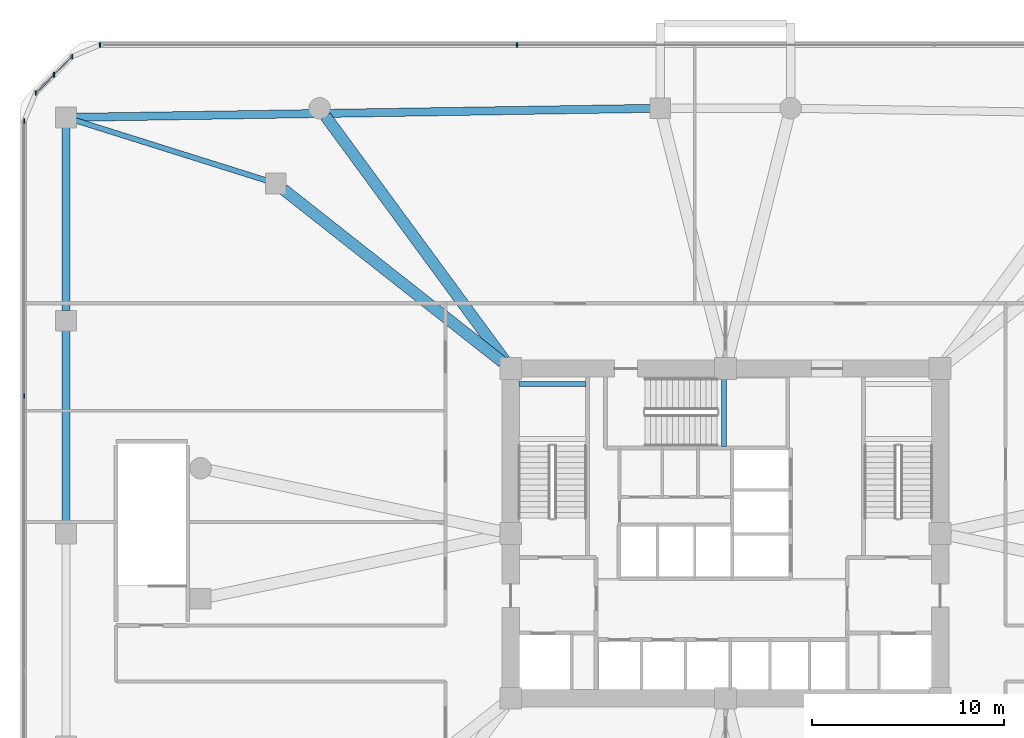
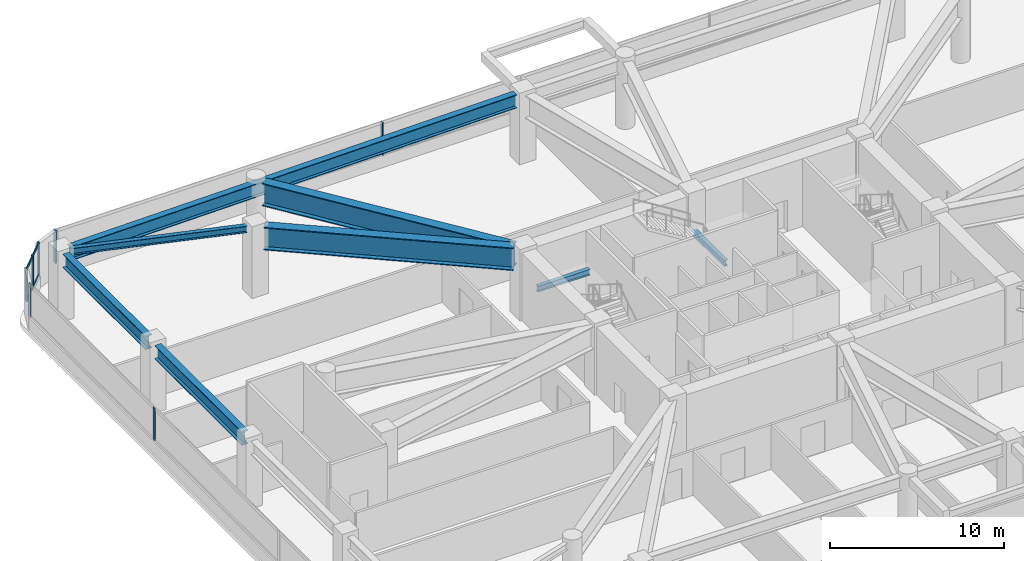
# One storey, part 6 of 21: 9 members, 8 beams, 3 elements without a shape of their own.
"""IFC4 building model written with IfcOpenShell, lengths in metres."""

import ifcopenshell
import ifcopenshell.guid

model = None  # the IFC model being written
_history = None  # IfcOwnerHistory: only IFC2X3 demands one
_inside = {}  # id of a spatial element -> (the spatial element, [elements in it])
_under = {}  # id of a project, library or spatial element -> (it, [spatial elements below it])
_declared = {}  # id of a project -> (the project, [libraries it declares])
_typed = {}  # id of a type object -> (the type object, [elements of that type])
_made_of = {}  # id of a material, layer set ... -> (it, [elements and type objects made of it])


def new_model(schema):
    """Start an empty IFC model of exactly this schema.

    Asked for "IFC4X3", IfcOpenShell would pick the latest addendum, in which some entities
    have other attributes; the version numbers below select the first issue.
    IFC2X3 requires an IfcOwnerHistory on every rooted entity: one is made here for all.
    """
    global model, _history
    if schema == "IFC4X3":
        model = ifcopenshell.file(schema_version=(4, 3, 0, 0))
    else:
        model = ifcopenshell.file(schema=schema)
    _inside.clear()
    _under.clear()
    _declared.clear()
    _typed.clear()
    _made_of.clear()
    _history = None
    if model.schema == "IFC2X3":
        org = make("IfcOrganization", Name="unknown")
        user = make(
            "IfcPersonAndOrganization",
            ThePerson=make("IfcPerson", FamilyName="unknown"),
            TheOrganization=org,
        )
        app = make(
            "IfcApplication",
            ApplicationDeveloper=org,
            Version="unknown",
            ApplicationFullName="unknown",
            ApplicationIdentifier="unknown",
        )
        _history = make(
            "IfcOwnerHistory",
            OwningUser=user,
            OwningApplication=app,
            ChangeAction="ADDED",
            CreationDate=0,
        )
    return model


def make(cls, **values):
    """One entity of the class cls with the attributes given. An attribute that is None is left unset."""
    return model.create_entity(
        cls, **{name: value for name, value in values.items() if value is not None}
    )


def rooted(cls, **values):
    """An entity with a GlobalId (a new one), such as an element, a storey or a relation."""
    return make(cls, GlobalId=ifcopenshell.guid.new(), OwnerHistory=_history, **values)


def si_unit(unit_type, name, prefix=None):
    """IfcSIUnit, for example si_unit("LENGTHUNIT", "METRE", prefix="MILLI")."""
    return make("IfcSIUnit", UnitType=unit_type, Prefix=prefix, Name=name)


def derived_unit(unit_type, elements):
    """IfcDerivedUnit: a product of units, each with its exponent."""
    return make(
        "IfcDerivedUnit",
        Elements=[
            make("IfcDerivedUnitElement", Unit=unit, Exponent=power)
            for unit, power in elements
        ],
        UnitType=unit_type,
    )


def assignment(units):
    """IfcUnitAssignment: the units of a project."""
    return None if units is None else make("IfcUnitAssignment", Units=units)


def point(xyz):
    """IfcCartesianPoint."""
    return None if xyz is None else make("IfcCartesianPoint", Coordinates=xyz)


def direction(xyz):
    """IfcDirection."""
    return None if xyz is None else make("IfcDirection", DirectionRatios=xyz)


def frame(location, z_axis=None, x_axis=None):
    """IfcAxis2Placement3D, a coordinate frame: its origin and axes. An axis left out is left unset."""
    return make(
        "IfcAxis2Placement3D",
        Location=point(location),
        Axis=direction(z_axis),
        RefDirection=direction(x_axis),
    )


def frame_2d(location, x_axis=None):
    """IfcAxis2Placement2D, a coordinate frame in the plane: its origin and x axis."""
    return make(
        "IfcAxis2Placement2D", Location=point(location), RefDirection=direction(x_axis)
    )


def origin():
    """The frame at (0, 0, 0) with its axes left unset."""
    return frame((0.0, 0.0, 0.0))


def origin_2d():
    """The frame at (0, 0) in the plane with its x axis left unset."""
    return frame_2d((0.0, 0.0))


def place(relative_to, where):
    """IfcLocalPlacement: puts the frame where relative to a parent placement (None: the world)."""
    return make(
        "IfcLocalPlacement", PlacementRelTo=relative_to, RelativePlacement=where
    )


def context(
    kind, dimensions, precision=None, world=None, true_north=None, identifier=None
):
    """IfcGeometricRepresentationContext, for example the 3D "Model" context."""
    return make(
        "IfcGeometricRepresentationContext",
        ContextIdentifier=identifier,
        ContextType=kind,
        CoordinateSpaceDimension=dimensions,
        Precision=precision,
        WorldCoordinateSystem=world,
        TrueNorth=true_north,
    )


def subcontext(parent, identifier, kind, view, scale=None):
    """IfcGeometricRepresentationSubContext, for example "Body" below "Model"."""
    return make(
        "IfcGeometricRepresentationSubContext",
        ContextIdentifier=identifier,
        ContextType=kind,
        ParentContext=parent,
        TargetScale=scale,
        TargetView=view,
    )


def project(units=None, contexts=None):
    """IfcProject with its units and contexts."""
    return rooted(
        "IfcProject",
        Name="project",
        RepresentationContexts=contexts,
        UnitsInContext=assignment(units),
    )


def spatial(cls, under=None, at=None, **own):
    """A site, building, storey or space (cls), placed at a placement, below another one or the project."""
    s = rooted(cls, ObjectPlacement=at, **own)
    if under is not None:
        _under.setdefault(under.id(), (under, []))[1].append(s)
    return s


def profile(cls, at=None, kind="AREA", **sizes):
    """A parametric profile (cls). Its sizes go by their IFC names, for example OverallWidth=200.0."""
    return make(cls, ProfileType=kind, Position=at, **sizes)


def rectangle(**sizes):
    """IfcRectangleProfileDef."""
    return profile("IfcRectangleProfileDef", **sizes)


def i_section(**sizes):
    """IfcIShapeProfileDef."""
    return profile("IfcIShapeProfileDef", **sizes)


def extrude(swept, where, along, depth):
    """IfcExtrudedAreaSolid: the profile swept, set in the frame where, extruded along a direction by depth."""
    return make(
        "IfcExtrudedAreaSolid",
        SweptArea=swept,
        Position=where,
        ExtrudedDirection=direction(along),
        Depth=depth,
    )


def shape(context_of_items, identifier, shape_type, items):
    """IfcShapeRepresentation: the items that make up one representation, for example the "Body"."""
    return make(
        "IfcShapeRepresentation",
        ContextOfItems=context_of_items,
        RepresentationIdentifier=identifier,
        RepresentationType=shape_type,
        Items=items,
    )


def material(Name=None, Category=None):
    """IfcMaterial."""
    return make("IfcMaterial", Name=Name, Category=Category)


def material_profile(
    of_material, cross_section, Name=None, Category=None, Priority=None
):
    """IfcMaterialProfile: a cross section and its material."""
    return make(
        "IfcMaterialProfile",
        Name=Name,
        Material=of_material,
        Profile=cross_section,
        Priority=Priority,
        Category=Category,
    )


def profile_set(profiles, Name=None, composite=None):
    """IfcMaterialProfileSet."""
    return make(
        "IfcMaterialProfileSet",
        Name=Name,
        MaterialProfiles=profiles,
        CompositeProfile=composite,
    )


def made_of(thing, what):
    """Note that an element or type object is made of a material, layer set ...; save() writes the relation."""
    if what is not None:
        _made_of.setdefault(what.id(), (what, []))[1].append(thing)
    return thing


def type_object(cls, material=None, **own):
    """A type object (cls), such as IfcWallType, which elements share."""
    return made_of(rooted(cls, **own), material)


def element(
    cls,
    number,
    at=None,
    inside=None,
    cuts=None,
    type_object=None,
    material=None,
    context=None,
    identifier="Body",
    shape_type=None,
    held_by="IfcProductDefinitionShape",
    body=None,
    shapes=None,
    **own,
):
    """One element of the class cls, such as IfcWall. Its Tag is "e" and its number.

    at: its placement. inside: the storey or other place that contains it. cuts: it is an
    opening in that element (IfcRelVoidsElement). A single representation is given by context,
    identifier, shape_type and body (its items); several are given by shapes. held_by: the class
    of the entity that holds the representations. save() writes the other relations.
    """
    e = rooted(cls, Tag="e%d" % number, ObjectPlacement=at, **own)
    if body is not None:
        shapes = [shape(context, identifier, shape_type, body)]
    if shapes is not None:
        e.Representation = make(held_by, Representations=shapes)
    if inside is not None:
        _inside.setdefault(inside.id(), (inside, []))[1].append(e)
    if cuts is not None:
        rooted(
            "IfcRelVoidsElement", RelatingBuildingElement=cuts, RelatedOpeningElement=e
        )
    if type_object is not None:
        _typed.setdefault(type_object.id(), (type_object, []))[1].append(e)
    return made_of(e, material)


def aggregate(whole, parts):
    """IfcRelAggregates: a whole, such as a stair, and the parts it consists of."""
    return rooted("IfcRelAggregates", RelatingObject=whole, RelatedObjects=parts)


def save(model, path):
    """Write the relations noted so far, then the file.

    IfcRelAggregates (storeys below a building ...), IfcRelContainedInSpatialStructure (elements
    in a storey), IfcRelDefinesByType, IfcRelAssociatesMaterial and IfcRelDeclares: one each for
    every whole, place, type object, material and project.
    """
    for whole, parts in _under.values():
        aggregate(whole, parts)
    for where, things in _inside.values():
        rooted(
            "IfcRelContainedInSpatialStructure",
            RelatedElements=things,
            RelatingStructure=where,
        )
    for kind, things in _typed.values():
        rooted("IfcRelDefinesByType", RelatedObjects=things, RelatingType=kind)
    for what, things in _made_of.values():
        rooted("IfcRelAssociatesMaterial", RelatedObjects=things, RelatingMaterial=what)
    for by, libraries in _declared.values():
        rooted("IfcRelDeclares", RelatingContext=by, RelatedDefinitions=libraries)
    model.write(path)


model = new_model("IFC4")

# Units and contexts
model_context = context("Model", 3, precision=1e-05, world=origin(), true_north=direction((0.0, 1.0)))
body_context = subcontext(model_context, "Body", "Model", "MODEL_VIEW")
ifc_project = project(units=[si_unit("LENGTHUNIT", "METRE"), si_unit("AREAUNIT", "SQUARE_METRE"), si_unit("VOLUMEUNIT", "CUBIC_METRE"), si_unit("PLANEANGLEUNIT", "RADIAN"), si_unit("MASSUNIT", "GRAM", prefix="KILO"), derived_unit("THERMALTRANSMITTANCEUNIT", [(si_unit("POWERUNIT", "WATT"), 1), (si_unit("LENGTHUNIT", "METRE"), -2), (si_unit("THERMODYNAMICTEMPERATUREUNIT", "KELVIN"), -1)])], contexts=[model_context])

# Site, building, storey
site_placement = place(None, origin())
site = spatial("IfcSite", under=ifc_project, at=site_placement, CompositionType="ELEMENT")
building_placement = place(site_placement, origin())
building = spatial("IfcBuilding", under=site, at=building_placement, Name="Koralith Skygarden Medical Center", CompositionType="ELEMENT")
storey_placement = place(building_placement, frame((0.0, 0.0, 18.89990234375)))
storey = spatial("IfcBuildingStorey", under=building, at=storey_placement, Name="L04", CompositionType="ELEMENT", Elevation=18.89990234375)

# Curtain wall, members
ifc_material_1 = material(Name="Clear Laminated Glass", Category="glass")
curtain_wall_type = type_object("IfcCurtainWallType", Name="CW-1 Transit & Podium Acoustic Curtain Wall", PredefinedType="NOTDEFINED", material=ifc_material_1)
curtain_wall_1_placement = place(storey_placement, origin())
curtain_wall_1 = element("IfcCurtainWall", 1, at=curtain_wall_1_placement, inside=storey, type_object=curtain_wall_type, Name="Curtain Wall CW-L04-N", PredefinedType="NOTDEFINED")
ifc_material_2 = material(Name="Aluminium 6063-T6", Category="aluminium")
ifc_material_profile_1 = material_profile(ifc_material_2, rectangle(XDim=0.068115234375, YDim=0.239990234375, at=origin_2d()), Name="MUL68X240")
ifc_profile_set_1 = profile_set([ifc_material_profile_1], Name="Aluminium 6063-T6")
member_type_1 = type_object("IfcMemberType", Name="CW-1 Extruded Mullion 68x240", PredefinedType="MULLION", material=ifc_profile_set_1)
member_1_placement = place(storey_placement, frame((26.1259765625, 51.3798828125, 0.85009765625), z_axis=(0.0, 0.0, 1.0), x_axis=(1.0, 0.0, 0.0)))
member_1 = element("IfcMember", 2, at=member_1_placement, type_object=member_type_1, Name="CW-L04-N Mullion 3", PredefinedType="MULLION", context=body_context, shape_type="SweptSolid", body=[
    extrude(rectangle(XDim=0.068115234375, YDim=0.239990234375, at=origin_2d()), origin(), (0.0, 0.0, 1.0), 2.300048828125),
])
member_2_placement = place(storey_placement, frame((4.37890625, 51.3798828125, 0.85009765625), z_axis=(0.0, 0.0, 1.0), x_axis=(1.0, 0.0, 0.0)))
member_2 = element("IfcMember", 3, at=member_2_placement, type_object=member_type_1, Name="CW-L04-N Mullion 4", PredefinedType="MULLION", context=body_context, shape_type="SweptSolid", body=[
    extrude(rectangle(XDim=0.068115234375, YDim=0.239990234375, at=origin_2d()), origin(), (0.0, 0.0, 1.0), 2.300048828125),
])
aggregate(curtain_wall_1, [member_1, member_2])

curtain_wall_2_placement = place(storey_placement, origin())
curtain_wall_2 = element("IfcCurtainWall", 4, at=curtain_wall_2_placement, inside=storey, type_object=curtain_wall_type, Name="Curtain Wall CW-L04-NW", PredefinedType="NOTDEFINED")
member_3_placement = place(storey_placement, frame((2.927978515625, 50.779052734375, 0.85009765625), z_axis=(0.0, 0.0, 1.0), x_axis=(1.0, 0.0, 0.0)))
member_3 = element("IfcMember", 5, at=member_3_placement, type_object=member_type_1, Name="CW-L04-NW Mullion 1", PredefinedType="MULLION", context=body_context, shape_type="SweptSolid", body=[
    extrude(rectangle(XDim=0.068115234375, YDim=0.239990234375, at=origin_2d()), origin(), (0.0, 0.0, 1.0), 2.300048828125),
])
member_4_placement = place(storey_placement, frame((1.97412109375, 49.825927734375, 0.85009765625), z_axis=(0.0, 0.0, 1.0), x_axis=(1.0, 0.0, 0.0)))
member_4 = element("IfcMember", 6, at=member_4_placement, type_object=member_type_1, Name="CW-L04-NW Mullion 2", PredefinedType="MULLION", context=body_context, shape_type="SweptSolid", body=[
    extrude(rectangle(XDim=0.068115234375, YDim=0.239990234375, at=origin_2d()), origin(), (0.0, 0.0, 1.0), 2.300048828125),
])
member_5_placement = place(storey_placement, frame((1.02099609375, 48.8720703125, 0.85009765625), z_axis=(0.0, 0.0, 1.0), x_axis=(1.0, 0.0, 0.0)))
member_5 = element("IfcMember", 7, at=member_5_placement, type_object=member_type_1, Name="CW-L04-NW Mullion 3", PredefinedType="MULLION", context=body_context, shape_type="SweptSolid", body=[
    extrude(rectangle(XDim=0.068115234375, YDim=0.239990234375, at=origin_2d()), origin(), (0.0, 0.0, 1.0), 2.300048828125),
])

curtain_wall_3_placement = place(storey_placement, origin())
curtain_wall_3 = element("IfcCurtainWall", 8, at=curtain_wall_3_placement, inside=storey, type_object=curtain_wall_type, Name="Curtain Wall CW-L04-W", PredefinedType="NOTDEFINED")
member_6_placement = place(storey_placement, frame((0.419921875, 47.4208984375, 0.85009765625), z_axis=(0.0, 0.0, 1.0), x_axis=(1.0, 0.0, 0.0)))
member_6 = element("IfcMember", 9, at=member_6_placement, type_object=member_type_1, Name="CW-L04-W Mullion 1", PredefinedType="MULLION", context=body_context, shape_type="SweptSolid", body=[
    extrude(rectangle(XDim=0.068115234375, YDim=0.239990234375, at=origin_2d()), origin(), (0.0, 0.0, 1.0), 2.300048828125),
])
member_7_placement = place(storey_placement, frame((0.419921875, 33.073974609375, 0.85009765625), z_axis=(0.0, 0.0, 1.0), x_axis=(1.0, 0.0, 0.0)))
member_7 = element("IfcMember", 10, at=member_7_placement, type_object=member_type_1, Name="CW-L04-W Mullion 2", PredefinedType="MULLION", context=body_context, shape_type="SweptSolid", body=[
    extrude(rectangle(XDim=0.068115234375, YDim=0.239990234375, at=origin_2d()), origin(), (0.0, 0.0, 1.0), 2.300048828125),
])
aggregate(curtain_wall_3, [member_6, member_7])

# Member
ifc_material_profile_2 = material_profile(ifc_material_2, rectangle(XDim=0.06298828125, YDim=0.216064453125, at=origin_2d()), Name="TRN63X216")
ifc_profile_set_2 = profile_set([ifc_material_profile_2], Name="Aluminium 6063-T6")
member_type_2 = type_object("IfcMemberType", Name="CW-1 Thermal Transom 63x216", PredefinedType="USERDEFINED", material=ifc_profile_set_2)
member_8_placement = place(storey_placement, frame((2.927978515625, 50.779052734375, 0.900146484375), z_axis=(-0.707106781187, -0.707106781187, 0.0), x_axis=(0.707106781187, -0.707106781187, 0.0)))
member_8 = element("IfcMember", 11, at=member_8_placement, type_object=member_type_2, Name="CW-L04-NW Transom 1", ObjectType="TRANSOM", PredefinedType="USERDEFINED", context=body_context, shape_type="SweptSolid", body=[
    extrude(rectangle(XDim=0.06298828125, YDim=0.216064453125, at=origin_2d()), origin(), (0.0, 0.0, 1.0), 2.69677734375),
])

member_9_placement = place(storey_placement, frame((2.927978515625, 50.779052734375, 3.10009765625), z_axis=(-0.707106781187, -0.707106781187, 0.0), x_axis=(0.707106781187, -0.707106781187, 0.0)))
member_9 = element("IfcMember", 12, at=member_9_placement, type_object=member_type_2, Name="CW-L04-NW Transom 2", ObjectType="TRANSOM", PredefinedType="USERDEFINED", context=body_context, shape_type="SweptSolid", body=[
    extrude(rectangle(XDim=0.06298828125, YDim=0.216064453125, at=origin_2d()), origin(), (0.0, 0.0, 1.0), 2.69677734375),
])

aggregate(curtain_wall_2, [member_3, member_4, member_5, member_8, member_9])

# Beams
ifc_material_3 = material(Name="Steel ASTM A992 Grade 50", Category="steel")
ifc_material_profile_3 = material_profile(ifc_material_3, i_section(OverallWidth=0.260009765625, OverallDepth=0.4150390625, WebThickness=0.010009765625, FlangeThickness=0.016845703125, at=origin_2d()), Name="W16X67")
ifc_profile_set_3 = profile_set([ifc_material_profile_3], Name="Steel ASTM A992 Grade 50")
beam_type_1 = type_object("IfcBeamType", Name="Clinical Floor Joist W16X67", PredefinedType="JOIST", material=ifc_profile_set_3)
beam_1_placement = place(storey_placement, frame((26.22998046875, 33.699951171875, 2.113037109375), z_axis=(1.0, 0.0, 0.0), x_axis=(0.0, 1.0, 0.0)))
element("IfcBeam", 13, at=beam_1_placement, inside=storey, type_object=beam_type_1, Name="L04 Stair ST1 Half-Landing Support Beam 1B", PredefinedType="JOIST", context=body_context, shape_type="SweptSolid", body=[
    extrude(i_section(OverallWidth=0.260009765625, OverallDepth=0.4150390625, WebThickness=0.010009765625, FlangeThickness=0.016845703125, at=origin_2d()), origin(), (0.0, 0.0, 1.0), 3.489990234375),
])
beam_2_placement = place(storey_placement, frame((36.919921875, 30.43994140625, 2.113037109375), z_axis=(0.0, 1.0, 0.0), x_axis=(-1.0, 0.0, 0.0)))
element("IfcBeam", 14, at=beam_2_placement, inside=storey, type_object=beam_type_1, Name="L04 Stair ST3 Half-Landing Support Beam 1A", PredefinedType="JOIST", context=body_context, shape_type="SweptSolid", body=[
    extrude(i_section(OverallWidth=0.260009765625, OverallDepth=0.4150390625, WebThickness=0.010009765625, FlangeThickness=0.016845703125, at=origin_2d()), origin(), (0.0, 0.0, 1.0), 3.630126953125),
])
ifc_material_profile_4 = material_profile(ifc_material_3, i_section(OverallWidth=0.423095703125, OverallDepth=0.947998046875, WebThickness=0.02392578125, FlangeThickness=0.042724609375, at=origin_2d()), Name="W36X302")
ifc_profile_set_4 = profile_set([ifc_material_profile_4], Name="Steel ASTM A992 Grade 50")
beam_type_2 = type_object("IfcBeamType", Name="Podium Concourse Girder W36X302", PredefinedType="BEAM", material=ifc_profile_set_4)
beam_3_placement = place(storey_placement, frame((33.080078125, 48.072021484375, 4.2861328125), z_axis=(-0.999880035237, -0.015489194131, 0.0), x_axis=(0.015489194131, -0.999880035237, 0.0)))
element("IfcBeam", 15, at=beam_3_placement, inside=storey, type_object=beam_type_2, Name="L04 Podium Perimeter Beam PB-11", PredefinedType="BEAM", context=body_context, shape_type="SweptSolid", body=[
    extrude(i_section(OverallWidth=0.423095703125, OverallDepth=0.947998046875, WebThickness=0.02392578125, FlangeThickness=0.042724609375, at=origin_2d()), origin(), (0.0, 0.0, 1.0), 29.963623046875),
])
beam_4_placement = place(storey_placement, frame((2.60009765625, 47.080078125, 4.2861328125), z_axis=(0.0, -1.0, 0.0), x_axis=(1.0, 0.0, 0.0)))
element("IfcBeam", 16, at=beam_4_placement, inside=storey, type_object=beam_type_2, Name="L04 Podium Perimeter Beam PB-12", PredefinedType="BEAM", context=body_context, shape_type="SweptSolid", body=[
    extrude(i_section(OverallWidth=0.423095703125, OverallDepth=0.947998046875, WebThickness=0.02392578125, FlangeThickness=0.042724609375, at=origin_2d()), origin(), (0.0, 0.0, 1.0), 9.56005859375),
])
beam_5_placement = place(storey_placement, frame((2.60009765625, 36.47998046875, 4.2861328125), z_axis=(0.0, -1.0, 0.0), x_axis=(1.0, 0.0, 0.0)))
element("IfcBeam", 17, at=beam_5_placement, inside=storey, type_object=beam_type_2, Name="L04 Podium Perimeter Beam PB-13", PredefinedType="BEAM", context=body_context, shape_type="SweptSolid", body=[
    extrude(i_section(OverallWidth=0.423095703125, OverallDepth=0.947998046875, WebThickness=0.02392578125, FlangeThickness=0.042724609375, at=origin_2d()), origin(), (0.0, 0.0, 1.0), 10.06005859375),
])
ifc_material_profile_5 = material_profile(ifc_material_3, i_section(OverallWidth=0.281982421875, OverallDepth=0.467041015625, WebThickness=0.01220703125, FlangeThickness=0.01953125, at=origin_2d()), Name="W18X86")
ifc_profile_set_5 = profile_set([ifc_material_profile_5], Name="Steel ASTM A992 Grade 50")
beam_type_3 = type_object("IfcBeamType", Name="Podium Floor Joist W18X86", PredefinedType="JOIST", material=ifc_profile_set_5)
beam_6_placement = place(storey_placement, frame((13.0439453125, 44.31591796875, 4.527099609375), z_axis=(-0.95394817002, 0.29997148017, 0.0), x_axis=(-0.29997148017, -0.95394817002, 0.0)))
element("IfcBeam", 18, at=beam_6_placement, inside=storey, type_object=beam_type_3, Name="L04 Podium Floor Joist PJ-02", PredefinedType="JOIST", context=body_context, shape_type="SweptSolid", body=[
    extrude(i_section(OverallWidth=0.281982421875, OverallDepth=0.467041015625, WebThickness=0.01220703125, FlangeThickness=0.01953125, at=origin_2d()), origin(), (0.0, 0.0, 1.0), 10.42822265625),
])
ifc_material_profile_6 = material_profile(ifc_material_3, i_section(OverallWidth=0.60009765625, OverallDepth=1.60009765625, WebThickness=0.031982421875, FlangeThickness=0.06005859375, at=origin_2d()), Name="BG1600X600X60X32")
ifc_profile_set_6 = profile_set([ifc_material_profile_6], Name="Steel ASTM A992 Grade 50")
beam_type_4 = type_object("IfcBeamType", Name="Podium Transfer Girder BG1600", PredefinedType="USERDEFINED", material=ifc_profile_set_6)
beam_7_placement = place(storey_placement, frame((25.468994140625, 34.950927734375, 3.960205078125), z_axis=(-0.591712691958, 0.806148925556, 0.0), x_axis=(-0.806148925556, -0.591712691958, 0.0)))
element("IfcBeam", 19, at=beam_7_placement, inside=storey, type_object=beam_type_4, Name="L04 Podium Radial Girder PRG-14", ObjectType="TRANSFER GIRDER", PredefinedType="USERDEFINED", context=body_context, shape_type="SweptSolid", body=[
    extrude(i_section(OverallWidth=0.60009765625, OverallDepth=1.60009765625, WebThickness=0.031982421875, FlangeThickness=0.06005859375, at=origin_2d()), origin(), (0.0, 0.0, 1.0), 15.766357421875),
])
beam_8_placement = place(storey_placement, frame((25.360107421875, 34.846923828125, 3.960205078125), z_axis=(-0.785504791859, 0.618855574401, 0.0), x_axis=(-0.618855574401, -0.785504791859, 0.0)))
element("IfcBeam", 20, at=beam_8_placement, inside=storey, type_object=beam_type_4, Name="L04 Podium Radial Girder PRG-15", ObjectType="TRANSFER GIRDER", PredefinedType="USERDEFINED", context=body_context, shape_type="SweptSolid", body=[
    extrude(i_section(OverallWidth=0.60009765625, OverallDepth=1.60009765625, WebThickness=0.031982421875, FlangeThickness=0.06005859375, at=origin_2d()), origin(), (0.0, 0.0, 1.0), 14.5283203125),
])

save(model, "model.ifc")
